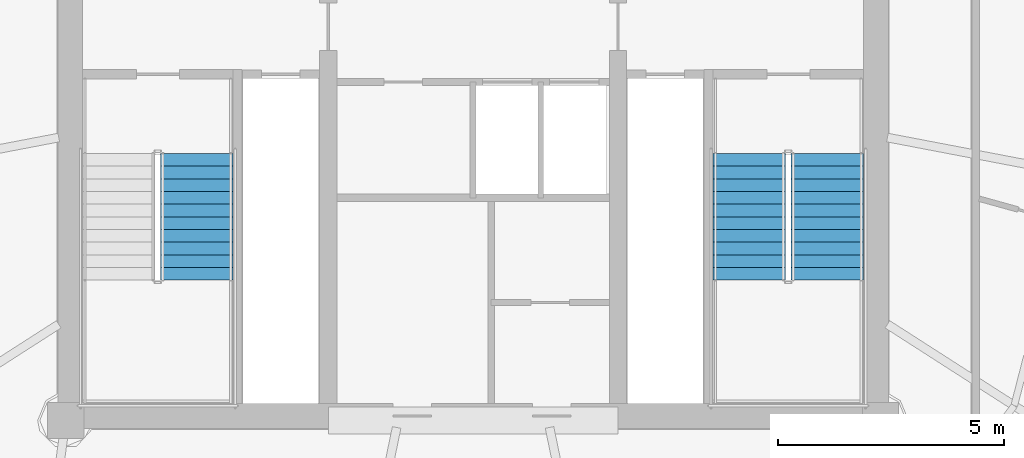
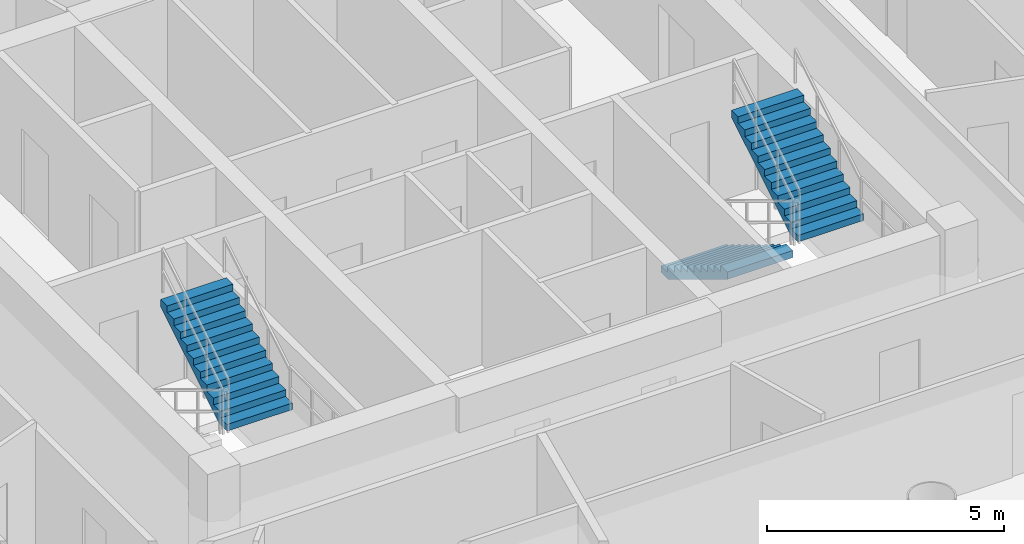
# One storey, part 17 of 21: 3 stair flights, 2 elements without a shape of their own.
"""IFC4 building model written with IfcOpenShell, lengths in metres."""

from ifc_helpers import new_model, si_unit, direction, frame, origin, place, context, subcontext, project, spatial, polyline, outline, extrude, material, type_object, element, aggregate, save


model = new_model("IFC4")

# Units and contexts
model_context = context("Model", 3, precision=1e-05, world=origin(), true_north=direction((-0.2419218956, 0.970295726276)))
body_context = subcontext(model_context, "Body", "Model", "MODEL_VIEW")
ifc_project = project(units=[si_unit("LENGTHUNIT", "METRE"), si_unit("AREAUNIT", "SQUARE_METRE"), si_unit("VOLUMEUNIT", "CUBIC_METRE"), si_unit("PLANEANGLEUNIT", "RADIAN"), si_unit("MASSUNIT", "GRAM", prefix="KILO")], contexts=[model_context])

# Site, building, storey
site_placement = place(None, origin())
site = spatial("IfcSite", under=ifc_project, at=site_placement, CompositionType="ELEMENT")
building_placement = place(site_placement, origin())
building = spatial("IfcBuilding", under=site, at=building_placement, Name="Cobrevalo Terracotta Tower", CompositionType="ELEMENT")
storey_placement = place(building_placement, frame((0.0, 0.0, 285.699951171875)))
storey = spatial("IfcBuildingStorey", under=building, at=storey_placement, Name="L75", CompositionType="ELEMENT", Elevation=285.699951171875)

# Stair, stair flight
ifc_material = material(Name="Concrete C50", Category="concrete")
stair_type = type_object("IfcStairType", Name="Core protected escape dogleg stair 1600", PredefinedType="HALF_TURN_STAIR", material=ifc_material)
stair_1_placement = place(storey_placement, origin())
stair_1 = element("IfcStair", 1, at=stair_1_placement, inside=storey, type_object=stair_type, Name="L75 Protected exit stair ST-1", PredefinedType="HALF_TURN_STAIR")
stair_flight_type = type_object("IfcStairFlightType", Name="Core protected escape dogleg stair 1600 flight", PredefinedType="STRAIGHT", material=ifc_material)
stair_flight_1_placement = place(storey_placement, frame((31.89501953125, 21.89990234375, 1.875), z_axis=(0.0, 0.0, 1.0), x_axis=(0.0, 1.0, 0.0)))
stair_flight_1 = element("IfcStairFlight", 2, at=stair_flight_1_placement, type_object=stair_flight_type, Name="ST-1 flight 2", NumberOfRisers=11, NumberOfTreads=10, PredefinedType="STRAIGHT", RiserHeight=0.170454545, TreadLength=0.28, context=body_context, shape_type="SweptSolid", body=[
    extrude(outline(polyline([(0.0, 0.0), (0.0, 0.17041015625), (0.280029296875, 0.17041015625), (0.280029296875, 0.3408203125), (0.56005859375, 0.3408203125), (0.56005859375, 0.511474609375), (0.840087890625, 0.511474609375), (0.840087890625, 0.681884765625), (1.1201171875, 0.681884765625), (1.1201171875, 0.852294921875), (1.39990234375, 0.852294921875), (1.39990234375, 1.022705078125), (1.679931640625, 1.022705078125), (1.679931640625, 1.193115234375), (1.9599609375, 1.193115234375), (1.9599609375, 1.363525390625), (2.239990234375, 1.363525390625), (2.239990234375, 1.5341796875), (2.52001953125, 1.5341796875), (2.52001953125, 1.70458984375), (2.800048828125, 1.70458984375), (2.800048828125, 1.875), (2.800048828125, 1.517333984375), (0.3076171875, 0.0), (0.0, 0.0)])), frame((0.0, 0.800048828125, 0.0), z_axis=(0.0, -1.0, 0.0), x_axis=(1.0, 0.0, 0.0)), (0.0, 0.0, 1.0), 1.60009765625),
])
aggregate(stair_1, [stair_flight_1])

# Stair, stair flights
stair_2_placement = place(storey_placement, origin())
stair_2 = element("IfcStair", 3, at=stair_2_placement, inside=storey, type_object=stair_type, Name="L75 Protected exit stair ST-2", PredefinedType="HALF_TURN_STAIR")
stair_flight_2_placement = place(storey_placement, frame((44.10498046875, 24.699951171875, 0.0), z_axis=(0.0, 0.0, 1.0), x_axis=(0.0, -1.0, 0.0)))
stair_flight_2 = element("IfcStairFlight", 4, at=stair_flight_2_placement, type_object=stair_flight_type, Name="ST-2 flight 1", NumberOfRisers=11, NumberOfTreads=10, PredefinedType="STRAIGHT", RiserHeight=0.170454545, TreadLength=0.28, context=body_context, shape_type="SweptSolid", body=[
    extrude(outline(polyline([(0.0, 0.0), (0.0, 0.17041015625), (0.280029296875, 0.17041015625), (0.280029296875, 0.3408203125), (0.56005859375, 0.3408203125), (0.56005859375, 0.511474609375), (0.840087890625, 0.511474609375), (0.840087890625, 0.681884765625), (1.1201171875, 0.681884765625), (1.1201171875, 0.852294921875), (1.39990234375, 0.852294921875), (1.39990234375, 1.022705078125), (1.679931640625, 1.022705078125), (1.679931640625, 1.193115234375), (1.9599609375, 1.193115234375), (1.9599609375, 1.363525390625), (2.239990234375, 1.363525390625), (2.239990234375, 1.5341796875), (2.52001953125, 1.5341796875), (2.52001953125, 1.70458984375), (2.800048828125, 1.70458984375), (2.800048828125, 1.875), (2.800048828125, 1.517333984375), (0.3076171875, 0.0), (0.0, 0.0)])), frame((0.0, 0.800048828125, 0.0), z_axis=(0.0, -1.0, 0.0), x_axis=(1.0, 0.0, 0.0)), (0.0, 0.0, 1.0), 1.60009765625),
])
stair_flight_3_placement = place(storey_placement, frame((45.824951171875, 21.89990234375, 1.875), z_axis=(0.0, 0.0, 1.0), x_axis=(0.0, 1.0, 0.0)))
stair_flight_3 = element("IfcStairFlight", 5, at=stair_flight_3_placement, type_object=stair_flight_type, Name="ST-2 flight 2", NumberOfRisers=11, NumberOfTreads=10, PredefinedType="STRAIGHT", RiserHeight=0.170454545, TreadLength=0.28, context=body_context, shape_type="SweptSolid", body=[
    extrude(outline(polyline([(0.0, 0.0), (0.0, 0.17041015625), (0.280029296875, 0.17041015625), (0.280029296875, 0.3408203125), (0.56005859375, 0.3408203125), (0.56005859375, 0.511474609375), (0.840087890625, 0.511474609375), (0.840087890625, 0.681884765625), (1.1201171875, 0.681884765625), (1.1201171875, 0.852294921875), (1.39990234375, 0.852294921875), (1.39990234375, 1.022705078125), (1.679931640625, 1.022705078125), (1.679931640625, 1.193115234375), (1.9599609375, 1.193115234375), (1.9599609375, 1.363525390625), (2.239990234375, 1.363525390625), (2.239990234375, 1.5341796875), (2.52001953125, 1.5341796875), (2.52001953125, 1.70458984375), (2.800048828125, 1.70458984375), (2.800048828125, 1.875), (2.800048828125, 1.517333984375), (0.3076171875, 0.0), (0.0, 0.0)])), frame((0.0, 0.800048828125, 0.0), z_axis=(0.0, -1.0, 0.0), x_axis=(1.0, 0.0, 0.0)), (0.0, 0.0, 1.0), 1.60009765625),
])
aggregate(stair_2, [stair_flight_2, stair_flight_3])

save(model, "model.ifc")
